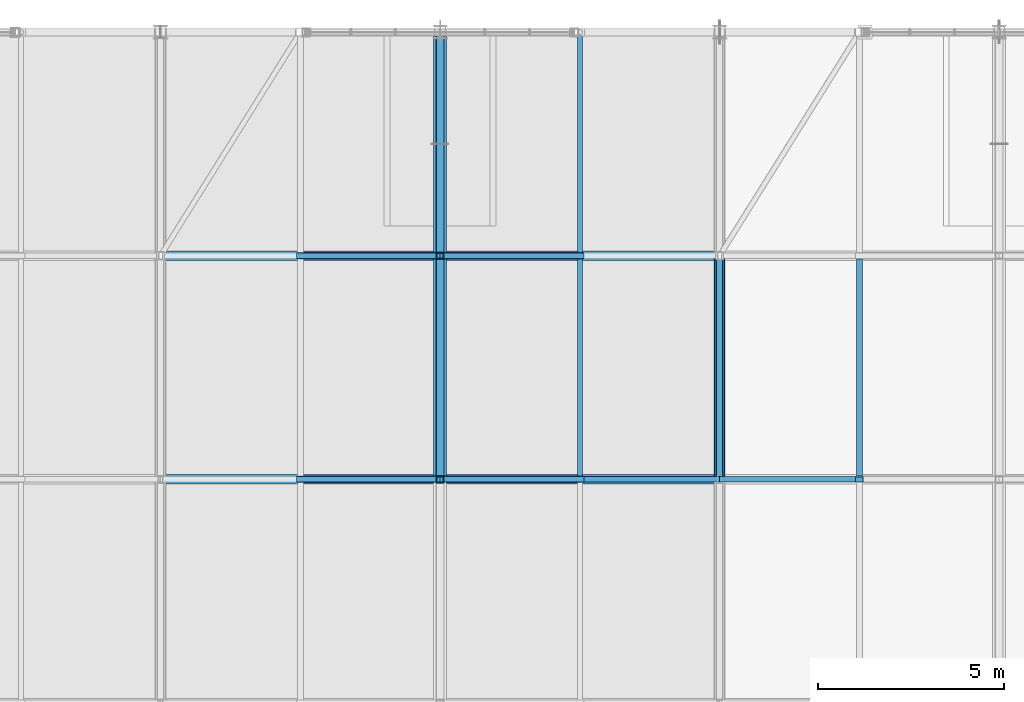
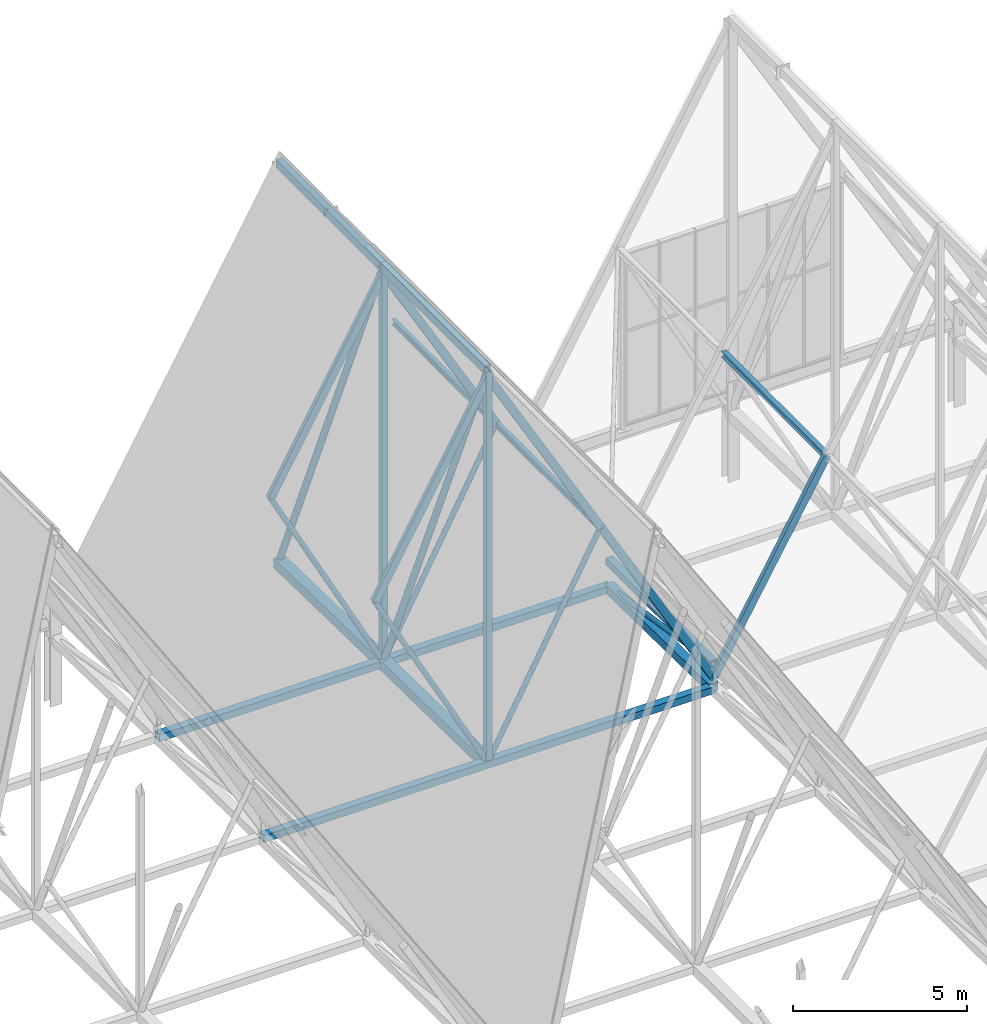
# One storey, part 156 of 324: 23 members, 3 beams.
"""IFC4 building model written with IfcOpenShell, lengths in metres."""

from ifc_helpers import new_model, si_unit, direction, frame, origin, origin_2d, place, context, subcontext, project, spatial, hollow_rectangle, hollow_circle, i_section, extrude, material, material_profile, profile_set, type_object, element, save


model = new_model("IFC4")

# Units and contexts
model_context = context("Model", 3, precision=1e-05, world=origin(), true_north=direction((0.0, 1.0)))
body_context = subcontext(model_context, "Body", "Model", "MODEL_VIEW")
ifc_project = project(units=[si_unit("LENGTHUNIT", "METRE"), si_unit("AREAUNIT", "SQUARE_METRE"), si_unit("VOLUMEUNIT", "CUBIC_METRE"), si_unit("PLANEANGLEUNIT", "RADIAN"), si_unit("MASSUNIT", "GRAM", prefix="KILO")], contexts=[model_context])

# Site, building, storey
site_placement = place(None, origin())
site = spatial("IfcSite", under=ifc_project, at=site_placement, CompositionType="ELEMENT")
building_placement = place(site_placement, origin())
building = spatial("IfcBuilding", under=site, at=building_placement, Name="Solvenia Promenade Tram Depot", CompositionType="ELEMENT")
storey_placement = place(building_placement, frame((0.0, 0.0, 4.5)))
storey = spatial("IfcBuildingStorey", under=building, at=storey_placement, Name="L01", CompositionType="ELEMENT", Elevation=4.5)

# Members
ifc_material_1 = material(Name="Structural steel ASTM A500 Gr. C", Category="steel")
ifc_material_profile_1 = material_profile(ifc_material_1, hollow_circle(Radius=0.109619140625, WallThickness=0.008056640625, at=origin_2d()), Name="CHS219.1x8", Category="steel")
ifc_profile_set_1 = profile_set([ifc_material_profile_1], Name="Structural steel ASTM A500 Gr. C")
member_type_1 = type_object("IfcMemberType", Name="Brace-CHS219x8", PredefinedType="BRACE", material=ifc_profile_set_1)
member_1_placement = place(storey_placement, frame((82.5, 120.0, 2.446044921875), z_axis=(0.0, -0.396934686746, 0.917846857846), x_axis=(1.0, 0.0, 0.0)))
element("IfcMember", 1, at=member_1_placement, inside=storey, type_object=member_type_1, Name="Arched Truss T12 Web Diagonal S09", PredefinedType="BRACE", context=body_context, shape_type="SweptSolid", body=[
    extrude(hollow_circle(Radius=0.109619140625, WallThickness=0.008056640625, at=origin_2d()), origin(), (0.0, 0.0, 1.0), 15.11572265625),
])
member_2_placement = place(storey_placement, frame((82.5, 126.0, 2.320068359375), z_axis=(0.0, -0.393919298579, 0.919145030018), x_axis=(1.0, 0.0, 0.0)))
element("IfcMember", 2, at=member_2_placement, inside=storey, type_object=member_type_1, Name="Arched Truss T12 Web Diagonal S10", PredefinedType="BRACE", context=body_context, shape_type="SweptSolid", body=[
    extrude(hollow_circle(Radius=0.109619140625, WallThickness=0.008056640625, at=origin_2d()), origin(), (0.0, 0.0, 1.0), 15.2314453125),
])
ifc_material_profile_2 = material_profile(ifc_material_1, hollow_rectangle(XDim=0.14990234375, YDim=0.25, WallThickness=0.010009765625, at=origin_2d()), Name="HSS250x150x10", Category="steel")
ifc_profile_set_2 = profile_set([ifc_material_profile_2], Name="Structural steel ASTM A500 Gr. C")
member_type_2 = type_object("IfcMemberType", Name="Chord-HSS250x150x10", PredefinedType="CHORD", material=ifc_profile_set_2)
for number, where, z_axis, x_axis, name in (
    (3, (78.75, 114.0, 9.501220703125), (0.494861595532, 0.0, 0.868971806946), (0.0, 1.0, 0.0), "Zigzag Gable 06 West Upper Rafter"),
    (4, (82.5, 114.0, 16.086181640625), (0.494861595532, 0.0, -0.868971806946), (0.0, 1.0, 0.0), "Zigzag Gable 06 East Upper Rafter"),
    (5, (86.25, 114.0, 9.501220703125), (0.494861595532, 0.0, -0.868971806946), (0.0, 1.0, 0.0), "Zigzag Gable 06 East Lower Rafter"),
    (6, (78.75, 120.0, 9.501220703125), (0.494861595532, 0.0, 0.868971806946), (0.0, 1.0, 0.0), "Zigzag Gable 06 West Upper Rafter"),
    (7, (82.5, 120.0, 16.086181640625), (0.494861595532, 0.0, -0.868971806946), (0.0, 1.0, 0.0), "Zigzag Gable 06 East Upper Rafter"),
):
    element("IfcMember", number, at=place(storey_placement, frame(where, z_axis=z_axis, x_axis=x_axis)), inside=storey, type_object=member_type_2, Name=name, PredefinedType="CHORD", context=body_context, shape_type="SweptSolid", body=[
        extrude(hollow_rectangle(XDim=0.14990234375, YDim=0.25, WallThickness=0.010009765625, at=origin_2d()), origin(), (0.0, 0.0, 1.0), 7.577880859375),
    ])
member_3_placement = place(storey_placement, frame((90.0, 114.0, 2.921142578125), z_axis=(0.501516268578, 0.0, 0.865148214095), x_axis=(0.0, 1.0, 0.0)))
element("IfcMember", 8, at=member_3_placement, inside=storey, type_object=member_type_2, Name="Zigzag Gable 07 West Lower Rafter", PredefinedType="CHORD", context=body_context, shape_type="SweptSolid", body=[
    extrude(hollow_rectangle(XDim=0.14990234375, YDim=0.25, WallThickness=0.010009765625, at=origin_2d()), origin(), (0.0, 0.0, 1.0), 7.477294921875),
])
ifc_material_profile_3 = material_profile(ifc_material_1, hollow_rectangle(XDim=0.25, YDim=0.25, WallThickness=0.010009765625, at=origin_2d()), Name="HSS250x250x10", Category="steel")
ifc_profile_set_3 = profile_set([ifc_material_profile_3], Name="Structural steel ASTM A500 Gr. C")
member_type_3 = type_object("IfcMemberType", Name="Chord-HSS250x250x10", PredefinedType="CHORD", material=ifc_profile_set_3)
member_4_placement = place(storey_placement, frame((90.0, 114.0, 3.3798828125), z_axis=(0.0, 1.0, 0.0), x_axis=(-1.0, 0.0, 0.0)))
element("IfcMember", 9, at=member_4_placement, inside=storey, type_object=member_type_3, Name="Arched Truss T13 Upper Chord S09", PredefinedType="CHORD", context=body_context, shape_type="SweptSolid", body=[
    extrude(hollow_rectangle(XDim=0.25, YDim=0.25, WallThickness=0.010009765625, at=origin_2d()), origin(), (0.0, 0.0, 1.0), 6.0),
])
for number, where, z_axis, x_axis, name in (
    (10, (75.0, 114.0, 2.5439453125), (1.0, 0.0, 0.0), (0.0, 1.0, 0.0), "Bottom-Chord Catenary Lateral Tie 053"),
    (11, (75.0, 120.0, 2.446044921875), (1.0, 0.0, 0.0), (0.0, 1.0, 0.0), "Bottom-Chord Catenary Lateral Tie 054"),
):
    element("IfcMember", number, at=place(storey_placement, frame(where, z_axis=z_axis, x_axis=x_axis)), inside=storey, type_object=member_type_3, Name=name, PredefinedType="CHORD", context=body_context, shape_type="SweptSolid", body=[
        extrude(hollow_rectangle(XDim=0.25, YDim=0.25, WallThickness=0.010009765625, at=origin_2d()), origin(), (0.0, 0.0, 1.0), 15.0),
    ])
ifc_material_profile_4 = material_profile(ifc_material_1, hollow_rectangle(XDim=0.199951171875, YDim=0.300048828125, WallThickness=0.012451171875, at=origin_2d()), Name="HSS300x200x12.5", Category="steel")
ifc_profile_set_4 = profile_set([ifc_material_profile_4], Name="Structural steel ASTM A500 Gr. C")
member_type_4 = type_object("IfcMemberType", Name="Chord-HSS300x200x12", PredefinedType="CHORD", material=ifc_profile_set_4)
for number, where, z_axis, x_axis, name in (
    (12, (82.5, 114.0, 16.320068359375), (0.0, 1.0, 0.0), (-1.0, 0.0, 0.0), "Arched Truss T12 Upper Chord S09"),
    (13, (82.5, 120.0, 16.320068359375), (0.0, 1.0, 0.0), (-1.0, 0.0, 0.0), "Arched Truss T12 Upper Chord S10"),
):
    element("IfcMember", number, at=place(storey_placement, frame(where, z_axis=z_axis, x_axis=x_axis)), inside=storey, type_object=member_type_4, Name=name, PredefinedType="CHORD", context=body_context, shape_type="SweptSolid", body=[
        extrude(hollow_rectangle(XDim=0.199951171875, YDim=0.300048828125, WallThickness=0.012451171875, at=origin_2d()), origin(), (0.0, 0.0, 1.0), 6.0),
    ])
ifc_material_profile_5 = material_profile(ifc_material_1, hollow_rectangle(XDim=0.300048828125, YDim=0.300048828125, WallThickness=0.012451171875, at=origin_2d()), Name="HSS300x300x12.5", Category="steel")
ifc_profile_set_5 = profile_set([ifc_material_profile_5], Name="Structural steel ASTM A500 Gr. C")
member_type_5 = type_object("IfcMemberType", Name="Chord-HSS300x300x12", PredefinedType="CHORD", material=ifc_profile_set_5)
member_5_placement = place(storey_placement, frame((90.0, 114.0, 2.5439453125), z_axis=(0.0, 0.999866908707, -0.016314560156), x_axis=(-1.0, 0.0, 0.0)))
element("IfcMember", 14, at=member_5_placement, inside=storey, type_object=member_type_5, Name="Arched Truss T13 Bottom Chord S09", PredefinedType="CHORD", context=body_context, shape_type="SweptSolid", body=[
    extrude(hollow_rectangle(XDim=0.300048828125, YDim=0.300048828125, WallThickness=0.012451171875, at=origin_2d()), origin(), (0.0, 0.0, 1.0), 6.000732421875),
])
ifc_material_profile_6 = material_profile(ifc_material_1, hollow_rectangle(XDim=0.35009765625, YDim=0.35009765625, WallThickness=0.01611328125, at=origin_2d()), Name="HSS350x350x16", Category="steel")
ifc_profile_set_6 = profile_set([ifc_material_profile_6], Name="Structural steel ASTM A500 Gr. C")
member_type_6 = type_object("IfcMemberType", Name="Chord-HSS350x350x16", PredefinedType="CHORD", material=ifc_profile_set_6)
member_6_placement = place(storey_placement, frame((82.5, 114.0, 2.5439453125), z_axis=(0.0, 0.999866908707, -0.016314560156), x_axis=(-1.0, 0.0, 0.0)))
element("IfcMember", 15, at=member_6_placement, inside=storey, type_object=member_type_6, Name="Arched Truss T12 Bottom Chord S09", PredefinedType="CHORD", context=body_context, shape_type="SweptSolid", body=[
    extrude(hollow_rectangle(XDim=0.35009765625, YDim=0.35009765625, WallThickness=0.01611328125, at=origin_2d()), origin(), (0.0, 0.0, 1.0), 6.000732421875),
])
member_7_placement = place(storey_placement, frame((82.5, 120.0, 2.446044921875), z_axis=(0.0, 0.999779654873, -0.020991467363), x_axis=(-1.0, 0.0, 0.0)))
element("IfcMember", 16, at=member_7_placement, inside=storey, type_object=member_type_6, Name="Arched Truss T12 Bottom Chord S10", PredefinedType="CHORD", context=body_context, shape_type="SweptSolid", body=[
    extrude(hollow_rectangle(XDim=0.35009765625, YDim=0.35009765625, WallThickness=0.01611328125, at=origin_2d()), origin(), (0.0, 0.0, 1.0), 6.001220703125),
])
ifc_material_profile_7 = material_profile(ifc_material_1, hollow_rectangle(XDim=0.199951171875, YDim=0.199951171875, WallThickness=0.010009765625, at=origin_2d()), Name="HSS200x200x10", Category="steel")
ifc_profile_set_7 = profile_set([ifc_material_profile_7], Name="Structural steel ASTM A500 Gr. C")
member_type_7 = type_object("IfcMemberType", Name="Post-HSS200x200x10", PredefinedType="POST", material=ifc_profile_set_7)
member_8_placement = place(storey_placement, frame((82.5, 114.0, 2.5439453125), z_axis=(0.0, 0.0, 1.0), x_axis=(1.0, 0.0, 0.0)))
element("IfcMember", 17, at=member_8_placement, inside=storey, type_object=member_type_7, Name="Arched Truss T12 Web Post S08", PredefinedType="POST", context=body_context, shape_type="SweptSolid", body=[
    extrude(hollow_rectangle(XDim=0.199951171875, YDim=0.199951171875, WallThickness=0.010009765625, at=origin_2d()), origin(), (0.0, 0.0, 1.0), 13.776123046875),
])
member_9_placement = place(storey_placement, frame((82.5, 120.0, 2.446044921875), z_axis=(0.0, 0.0, 1.0), x_axis=(1.0, 0.0, 0.0)))
element("IfcMember", 18, at=member_9_placement, inside=storey, type_object=member_type_7, Name="Arched Truss T12 Web Post S09", PredefinedType="POST", context=body_context, shape_type="SweptSolid", body=[
    extrude(hollow_rectangle(XDim=0.199951171875, YDim=0.199951171875, WallThickness=0.010009765625, at=origin_2d()), origin(), (0.0, 0.0, 1.0), 13.8740234375),
])

# Beams
ifc_material_2 = material(Name="Structural steel ASTM A992 Gr. 50", Category="steel")
ifc_material_profile_8 = material_profile(ifc_material_2, i_section(OverallWidth=0.133056640625, OverallDepth=0.20703125, WebThickness=0.005859375, FlangeThickness=0.00830078125, FilletRadius=0.009033203125, at=origin_2d()), Name="W200x27", Category="steel")
ifc_profile_set_8 = profile_set([ifc_material_profile_8], Name="Structural steel ASTM A992 Gr. 50")
beam_type_1 = type_object("IfcBeamType", Name="Purlin-W200x27", PredefinedType="USERDEFINED", material=ifc_profile_set_8)
for number, where, z_axis, x_axis, name in (
    (19, (86.25, 114.0849609375, 9.484130859375), (0.0, 1.0, 0.0), (-1.0, 0.0, 0.0), "Gable Roof Purlin E-0118"),
    (20, (86.25, 120.0849609375, 9.484130859375), (0.0, 1.0, 0.0), (-1.0, 0.0, 0.0), "Gable Roof Purlin E-0120"),
):
    element("IfcBeam", number, at=place(storey_placement, frame(where, z_axis=z_axis, x_axis=x_axis)), inside=storey, type_object=beam_type_1, Name=name, ObjectType="PURLIN", PredefinedType="USERDEFINED", context=body_context, shape_type="SweptSolid", body=[
        extrude(i_section(OverallWidth=0.133056640625, OverallDepth=0.20703125, WebThickness=0.005859375, FlangeThickness=0.00830078125, FilletRadius=0.009033203125, at=origin_2d()), origin(), (0.0, 0.0, 1.0), 5.830078125),
    ])
ifc_material_profile_9 = material_profile(ifc_material_2, i_section(OverallWidth=0.1650390625, OverallDepth=0.200927734375, WebThickness=0.006103515625, FlangeThickness=0.01025390625, FilletRadius=0.010009765625, at=origin_2d()), Name="W200x36", Category="steel")
ifc_profile_set_9 = profile_set([ifc_material_profile_9], Name="Structural steel ASTM A992 Gr. 50")
beam_type_2 = type_object("IfcBeamType", Name="Purlin-W200x36", PredefinedType="USERDEFINED", material=ifc_profile_set_9)
beam_placement = place(storey_placement, frame((93.75, 114.0849609375, 9.375732421875), z_axis=(0.0, 1.0, 0.0), x_axis=(-1.0, 0.0, 0.0)))
element("IfcBeam", 21, at=beam_placement, inside=storey, type_object=beam_type_2, Name="Gable Roof Purlin W-0137", ObjectType="PURLIN", PredefinedType="USERDEFINED", context=body_context, shape_type="SweptSolid", body=[
    extrude(i_section(OverallWidth=0.1650390625, OverallDepth=0.200927734375, WebThickness=0.006103515625, FlangeThickness=0.01025390625, FilletRadius=0.010009765625, at=origin_2d()), origin(), (0.0, 0.0, 1.0), 5.830078125),
])

# Members
ifc_material_profile_10 = material_profile(ifc_material_1, hollow_circle(Radius=0.084228515625, WallThickness=0.008056640625, at=origin_2d()), Name="CHS168.3x8", Category="steel")
ifc_profile_set_10 = profile_set([ifc_material_profile_10], Name="Structural steel ASTM A500 Gr. C")
member_type_8 = type_object("IfcMemberType", Name="WebDiag-CHS168x8", PredefinedType="BRACE", material=ifc_profile_set_10)
member_10_placement = place(storey_placement, frame((90.0, 120.0, 2.446044921875), z_axis=(0.0, -0.9881038455, 0.153788135133), x_axis=(1.0, 0.0, 0.0)))
element("IfcMember", 22, at=member_10_placement, inside=storey, type_object=member_type_8, Name="Arched Truss T13 Web Diagonal S09", PredefinedType="BRACE", context=body_context, shape_type="SweptSolid", body=[
    extrude(hollow_circle(Radius=0.084228515625, WallThickness=0.008056640625, at=origin_2d()), origin(), (0.0, 0.0, 1.0), 6.072265625),
])
for number, where, z_axis, x_axis, name in (
    (23, (82.5, 114.0, 2.5439453125), (-0.47447003574, 0.0, 0.880271654198), (0.0, -1.0, 0.0), "Zigzag Gable 06 West Knee Strut"),
    (24, (82.5, 114.0, 2.5439453125), (0.47447003574, 0.0, 0.880271654198), (0.0, 1.0, 0.0), "Zigzag Gable 06 East Knee Strut"),
):
    element("IfcMember", number, at=place(storey_placement, frame(where, z_axis=z_axis, x_axis=x_axis)), inside=storey, type_object=member_type_8, Name=name, PredefinedType="BRACE", context=body_context, shape_type="SweptSolid", body=[
        extrude(hollow_circle(Radius=0.084228515625, WallThickness=0.008056640625, at=origin_2d()), origin(), (0.0, 0.0, 1.0), 7.903564453125),
    ])
for number, where, z_axis, x_axis, name in (
    (25, (82.5, 120.0, 2.446044921875), (-0.469344370871, 0.0, 0.883015210249), (0.0, -1.0, 0.0), "Zigzag Gable 06 West Knee Strut"),
    (26, (82.5, 120.0, 2.446044921875), (0.469344370871, 0.0, 0.883015210249), (0.0, 1.0, 0.0), "Zigzag Gable 06 East Knee Strut"),
):
    element("IfcMember", number, at=place(storey_placement, frame(where, z_axis=z_axis, x_axis=x_axis)), inside=storey, type_object=member_type_8, Name=name, PredefinedType="BRACE", context=body_context, shape_type="SweptSolid", body=[
        extrude(hollow_circle(Radius=0.084228515625, WallThickness=0.008056640625, at=origin_2d()), origin(), (0.0, 0.0, 1.0), 7.989990234375),
    ])

save(model, "model.ifc")
